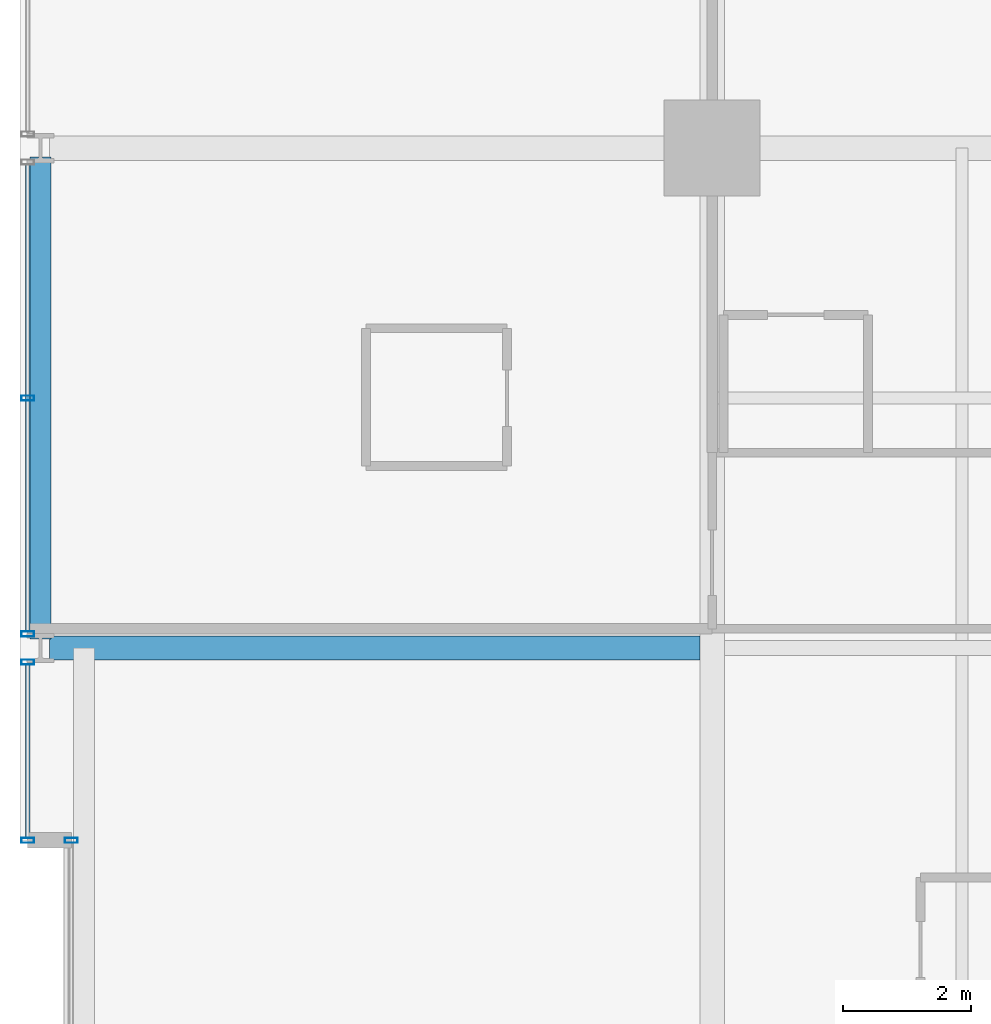
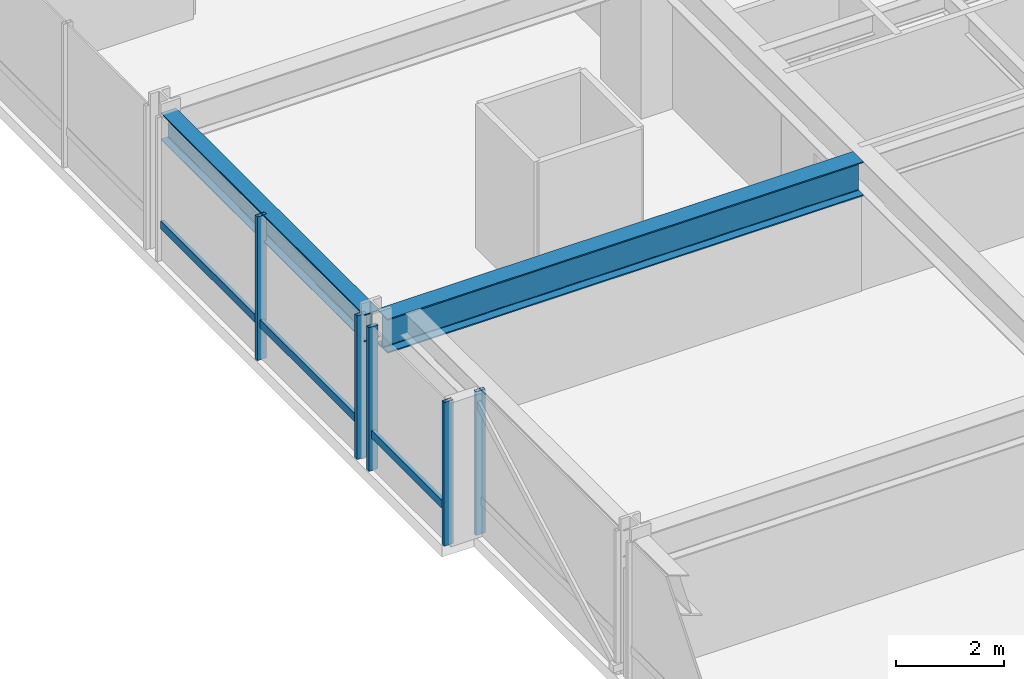
# One storey, part 16 of 34: 7 members, 2 beams, 3 elements without a shape of their own.
"""IFC4 building model written with IfcOpenShell, lengths in metres."""

from ifc_helpers import new_model, si_unit, direction, frame, origin, origin_2d, place, context, subcontext, project, spatial, hollow_rectangle, i_section, extrude, material, layer, layer_set, material_profile, profile_set, type_object, element, aggregate, save


model = new_model("IFC4")

# Units and contexts
model_context = context("Model", 3, precision=1e-05, world=origin(), true_north=direction((0.0, 1.0)))
body_context = subcontext(model_context, "Body", "Model", "MODEL_VIEW")
ifc_project = project(units=[si_unit("LENGTHUNIT", "METRE"), si_unit("AREAUNIT", "SQUARE_METRE"), si_unit("VOLUMEUNIT", "CUBIC_METRE"), si_unit("PLANEANGLEUNIT", "RADIAN"), si_unit("MASSUNIT", "GRAM", prefix="KILO")], contexts=[model_context])

# Site, building, storey
site_placement = place(None, origin())
site = spatial("IfcSite", under=ifc_project, at=site_placement, CompositionType="ELEMENT")
building_placement = place(site_placement, origin())
building = spatial("IfcBuilding", under=site, at=building_placement, Name="Drelvath Grand Hotel", CompositionType="ELEMENT")
storey_placement = place(building_placement, frame((0.0, 0.0, 116.300048828125)))
storey = spatial("IfcBuildingStorey", under=building, at=storey_placement, Name="L29", CompositionType="ELEMENT", Elevation=116.300048828125)

# Curtain wall, member
ifc_material_1 = material(Name="Champagne Bronze Anodised Aluminium Frame", Category="aluminium")
ifc_layer = layer(ifc_material_1, 0.199951171875)
ifc_layer_set = layer_set([ifc_layer], Name="Champagne Bronze Anodised Aluminium Frame")
curtain_wall_type = type_object("IfcCurtainWallType", Name="Stick Curtain Wall CW-03 Champagne Bronze Mid-Rise", PredefinedType="NOTDEFINED", material=ifc_layer_set)
curtain_wall_1_placement = place(storey_placement, origin())
curtain_wall_1 = element("IfcCurtainWall", 1, at=curtain_wall_1_placement, inside=storey, type_object=curtain_wall_type, Name="L29 CW-03 Curtain Wall CW03-L29-WN1", PredefinedType="NOTDEFINED")
ifc_material_profile_1 = material_profile(ifc_material_1, hollow_rectangle(XDim=0.074951171875, YDim=0.179931640625, WallThickness=0.0048828125, at=origin_2d()), Name="HSS180X75X5")
ifc_profile_set_1 = profile_set([ifc_material_profile_1], Name="Champagne Bronze Anodised Aluminium Frame")
member_type_1 = type_object("IfcMemberType", Name="Curtain Wall Horizontal Transom CW-03 HSS180X75X5", PredefinedType="USERDEFINED", material=ifc_profile_set_1)
member_1_placement = place(storey_placement, frame((-26.8798828125, 32.43994140625, 0.81005859375), z_axis=(0.0, 1.0, 0.0), x_axis=(-1.0, 0.0, 0.0)))
member_1 = element("IfcMember", 2, at=member_1_placement, type_object=member_type_1, Name="CW03-L29-WN1 Sill Transom", ObjectType="TRANSOM", PredefinedType="USERDEFINED", context=body_context, shape_type="SweptSolid", body=[
    extrude(hollow_rectangle(XDim=0.074951171875, YDim=0.179931640625, WallThickness=0.0048828125, at=origin_2d()), origin(), (0.0, 0.0, 1.0), 2.700439453125),
])

curtain_wall_2_placement = place(storey_placement, origin())
curtain_wall_2 = element("IfcCurtainWall", 3, at=curtain_wall_2_placement, inside=storey, type_object=curtain_wall_type, Name="L29 CW-03 Curtain Wall CW03-L29-WN2", PredefinedType="NOTDEFINED")
member_2_placement = place(storey_placement, frame((-26.8798828125, 35.65966796875, 0.81005859375), z_axis=(0.0, 1.0, 0.0), x_axis=(-1.0, 0.0, 0.0)))
member_2 = element("IfcMember", 4, at=member_2_placement, type_object=member_type_1, Name="CW03-L29-WN2 Sill Transom", ObjectType="TRANSOM", PredefinedType="USERDEFINED", context=body_context, shape_type="SweptSolid", body=[
    extrude(hollow_rectangle(XDim=0.074951171875, YDim=0.179931640625, WallThickness=0.0048828125, at=origin_2d()), origin(), (0.0, 0.0, 1.0), 7.28076171875),
])

curtain_wall_3_placement = place(storey_placement, origin())
curtain_wall_3 = element("IfcCurtainWall", 5, at=curtain_wall_3_placement, inside=storey, type_object=curtain_wall_type, Name="L29 CW-03 Curtain Wall CW03-L29-WM2", PredefinedType="NOTDEFINED")
ifc_material_profile_2 = material_profile(ifc_material_1, hollow_rectangle(XDim=0.080078125, YDim=0.199951171875, WallThickness=0.0048828125, at=origin_2d()), Name="HSS200X80X5")
ifc_profile_set_2 = profile_set([ifc_material_profile_2], Name="Champagne Bronze Anodised Aluminium Frame")
member_type_2 = type_object("IfcMemberType", Name="Curtain Wall Vertical Mullion CW-03 HSS200X80X5", PredefinedType="MULLION", material=ifc_profile_set_2)
member_3_placement = place(storey_placement, frame((-26.199951171875, 32.39990234375, 0.0), z_axis=(0.0, 0.0, 1.0), x_axis=(0.0, 1.0, 0.0)))
member_3 = element("IfcMember", 6, at=member_3_placement, type_object=member_type_2, Name="CW03-L29-WM2 Mullion 2", PredefinedType="MULLION", context=body_context, shape_type="SweptSolid", body=[
    extrude(hollow_rectangle(XDim=0.080078125, YDim=0.199951171875, WallThickness=0.0048828125, at=origin_2d()), origin(), (0.0, 0.0, 1.0), 3.239990234375),
])
aggregate(curtain_wall_3, [member_3])

# Member
member_4_placement = place(storey_placement, frame((-26.8798828125, 32.39990234375, 0.0), z_axis=(0.0, 0.0, 1.0), x_axis=(0.0, 1.0, 0.0)))
member_4 = element("IfcMember", 7, at=member_4_placement, type_object=member_type_2, Name="CW03-L29-WN1 Mullion 1", PredefinedType="MULLION", context=body_context, shape_type="SweptSolid", body=[
    extrude(hollow_rectangle(XDim=0.080078125, YDim=0.199951171875, WallThickness=0.0048828125, at=origin_2d()), origin(), (0.0, 0.0, 1.0), 3.239990234375),
])

member_5_placement = place(storey_placement, frame((-26.8798828125, 35.180419921875, 0.0), z_axis=(0.0, 0.0, 1.0), x_axis=(0.0, 1.0, 0.0)))
member_5 = element("IfcMember", 8, at=member_5_placement, type_object=member_type_2, Name="CW03-L29-WN1 Mullion 2", PredefinedType="MULLION", context=body_context, shape_type="SweptSolid", body=[
    extrude(hollow_rectangle(XDim=0.080078125, YDim=0.199951171875, WallThickness=0.0048828125, at=origin_2d()), origin(), (0.0, 0.0, 1.0), 3.239990234375),
])

aggregate(curtain_wall_1, [member_4, member_5, member_1])

member_6_placement = place(storey_placement, frame((-26.8798828125, 35.61962890625, 0.0), z_axis=(0.0, 0.0, 1.0), x_axis=(0.0, 1.0, 0.0)))
member_6 = element("IfcMember", 9, at=member_6_placement, type_object=member_type_2, Name="CW03-L29-WN2 Mullion 1", PredefinedType="MULLION", context=body_context, shape_type="SweptSolid", body=[
    extrude(hollow_rectangle(XDim=0.080078125, YDim=0.199951171875, WallThickness=0.0048828125, at=origin_2d()), origin(), (0.0, 0.0, 1.0), 3.239990234375),
])

member_7_placement = place(storey_placement, frame((-26.8798828125, 39.300048828125, 0.0), z_axis=(0.0, 0.0, 1.0), x_axis=(0.0, 1.0, 0.0)))
member_7 = element("IfcMember", 10, at=member_7_placement, type_object=member_type_2, Name="CW03-L29-WN2 Mullion 2", PredefinedType="MULLION", context=body_context, shape_type="SweptSolid", body=[
    extrude(hollow_rectangle(XDim=0.080078125, YDim=0.199951171875, WallThickness=0.0048828125, at=origin_2d()), origin(), (0.0, 0.0, 1.0), 3.239990234375),
])

aggregate(curtain_wall_2, [member_6, member_7, member_2])

# Beams
ifc_material_2 = material(Name="Steel ASTM A992 Gr 50", Category="steel")
ifc_material_profile_3 = material_profile(ifc_material_2, i_section(OverallWidth=0.323974609375, OverallDepth=0.611083984375, WebThickness=0.0126953125, FlangeThickness=0.01904296875, FilletRadius=0.02197265625, at=origin_2d()), Name="W24X104")
ifc_profile_set_3 = profile_set([ifc_material_profile_3], Name="Steel ASTM A992 Gr 50")
beam_type_1 = type_object("IfcBeamType", Name="Perimeter Spandrel Beam W24X104", PredefinedType="SPANDREL", material=ifc_profile_set_3)
beam_1_placement = place(storey_placement, frame((-26.679931640625, 35.5400390625, 2.9345703125), z_axis=(0.0, 1.0, 0.0), x_axis=(-1.0, 0.0, 0.0)))
element("IfcBeam", 11, at=beam_1_placement, inside=storey, type_object=beam_type_1, Name="L29 Spandrel West N", PredefinedType="SPANDREL", context=body_context, shape_type="SweptSolid", body=[
    extrude(i_section(OverallWidth=0.323974609375, OverallDepth=0.611083984375, WebThickness=0.0126953125, FlangeThickness=0.01904296875, FilletRadius=0.02197265625, at=origin_2d()), origin(), (0.0, 0.0, 1.0), 7.52001953125),
])
ifc_material_profile_4 = material_profile(ifc_material_2, i_section(OverallWidth=0.380615234375, OverallDepth=0.773193359375, WebThickness=0.0166015625, FlangeThickness=0.027099609375, FilletRadius=0.02490234375, at=origin_2d()), Name="W30X173")
ifc_profile_set_4 = profile_set([ifc_material_profile_4], Name="Steel ASTM A992 Gr 50")
beam_type_2 = type_object("IfcBeamType", Name="Primary Floor Girder W30X173", PredefinedType="BEAM", material=ifc_profile_set_4)
beam_2_placement = place(storey_placement, frame((-26.5400390625, 35.39990234375, 2.853271484375), z_axis=(1.0, 0.0, 0.0), x_axis=(0.0, 1.0, 0.0)))
element("IfcBeam", 12, at=beam_2_placement, inside=storey, type_object=beam_type_2, Name="L29 West Wing Girder F", PredefinedType="BEAM", context=body_context, shape_type="SweptSolid", body=[
    extrude(i_section(OverallWidth=0.380615234375, OverallDepth=0.773193359375, WebThickness=0.0166015625, FlangeThickness=0.027099609375, FilletRadius=0.02490234375, at=origin_2d()), origin(), (0.0, 0.0, 1.0), 10.149658203125),
])

save(model, "model.ifc")
